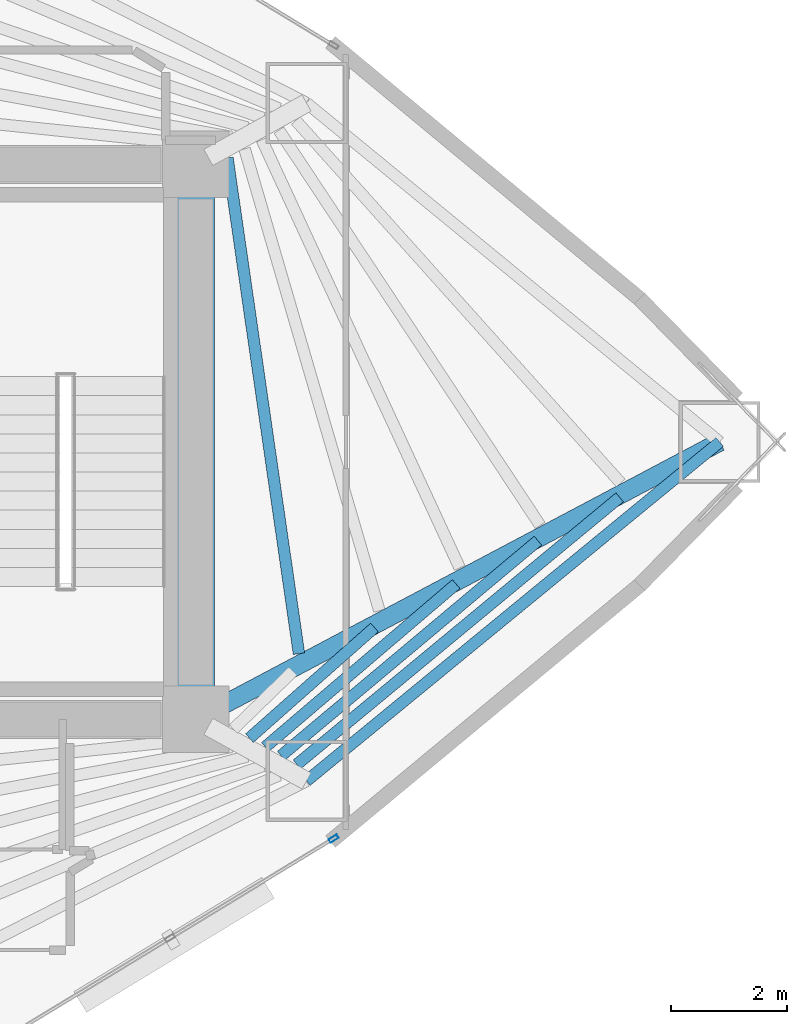
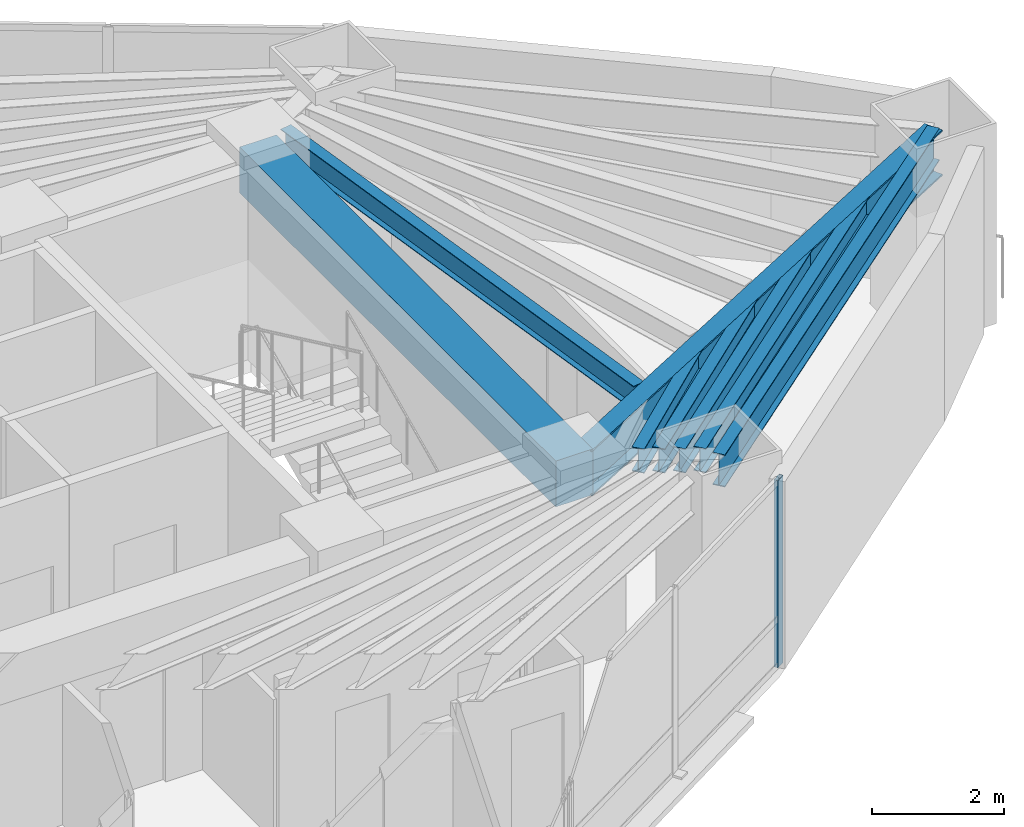
# One storey, part 6 of 17: 8 beams, 1 member, 1 element without a shape of its own.
"""IFC4 building model written with IfcOpenShell, lengths in metres."""

import ifcopenshell
import ifcopenshell.guid

model = None  # the IFC model being written
_history = None  # IfcOwnerHistory: only IFC2X3 demands one
_inside = {}  # id of a spatial element -> (the spatial element, [elements in it])
_under = {}  # id of a project, library or spatial element -> (it, [spatial elements below it])
_declared = {}  # id of a project -> (the project, [libraries it declares])
_typed = {}  # id of a type object -> (the type object, [elements of that type])
_made_of = {}  # id of a material, layer set ... -> (it, [elements and type objects made of it])


def new_model(schema):
    """Start an empty IFC model of exactly this schema.

    Asked for "IFC4X3", IfcOpenShell would pick the latest addendum, in which some entities
    have other attributes; the version numbers below select the first issue.
    IFC2X3 requires an IfcOwnerHistory on every rooted entity: one is made here for all.
    """
    global model, _history
    if schema == "IFC4X3":
        model = ifcopenshell.file(schema_version=(4, 3, 0, 0))
    else:
        model = ifcopenshell.file(schema=schema)
    _inside.clear()
    _under.clear()
    _declared.clear()
    _typed.clear()
    _made_of.clear()
    _history = None
    if model.schema == "IFC2X3":
        org = make("IfcOrganization", Name="unknown")
        user = make(
            "IfcPersonAndOrganization",
            ThePerson=make("IfcPerson", FamilyName="unknown"),
            TheOrganization=org,
        )
        app = make(
            "IfcApplication",
            ApplicationDeveloper=org,
            Version="unknown",
            ApplicationFullName="unknown",
            ApplicationIdentifier="unknown",
        )
        _history = make(
            "IfcOwnerHistory",
            OwningUser=user,
            OwningApplication=app,
            ChangeAction="ADDED",
            CreationDate=0,
        )
    return model


def make(cls, **values):
    """One entity of the class cls with the attributes given. An attribute that is None is left unset."""
    return model.create_entity(
        cls, **{name: value for name, value in values.items() if value is not None}
    )


def rooted(cls, **values):
    """An entity with a GlobalId (a new one), such as an element, a storey or a relation."""
    return make(cls, GlobalId=ifcopenshell.guid.new(), OwnerHistory=_history, **values)


def si_unit(unit_type, name, prefix=None):
    """IfcSIUnit, for example si_unit("LENGTHUNIT", "METRE", prefix="MILLI")."""
    return make("IfcSIUnit", UnitType=unit_type, Prefix=prefix, Name=name)


def assignment(units):
    """IfcUnitAssignment: the units of a project."""
    return None if units is None else make("IfcUnitAssignment", Units=units)


def point(xyz):
    """IfcCartesianPoint."""
    return None if xyz is None else make("IfcCartesianPoint", Coordinates=xyz)


def direction(xyz):
    """IfcDirection."""
    return None if xyz is None else make("IfcDirection", DirectionRatios=xyz)


def frame(location, z_axis=None, x_axis=None):
    """IfcAxis2Placement3D, a coordinate frame: its origin and axes. An axis left out is left unset."""
    return make(
        "IfcAxis2Placement3D",
        Location=point(location),
        Axis=direction(z_axis),
        RefDirection=direction(x_axis),
    )


def frame_2d(location, x_axis=None):
    """IfcAxis2Placement2D, a coordinate frame in the plane: its origin and x axis."""
    return make(
        "IfcAxis2Placement2D", Location=point(location), RefDirection=direction(x_axis)
    )


def origin():
    """The frame at (0, 0, 0) with its axes left unset."""
    return frame((0.0, 0.0, 0.0))


def origin_2d():
    """The frame at (0, 0) in the plane with its x axis left unset."""
    return frame_2d((0.0, 0.0))


def place(relative_to, where):
    """IfcLocalPlacement: puts the frame where relative to a parent placement (None: the world)."""
    return make(
        "IfcLocalPlacement", PlacementRelTo=relative_to, RelativePlacement=where
    )


def context(
    kind, dimensions, precision=None, world=None, true_north=None, identifier=None
):
    """IfcGeometricRepresentationContext, for example the 3D "Model" context."""
    return make(
        "IfcGeometricRepresentationContext",
        ContextIdentifier=identifier,
        ContextType=kind,
        CoordinateSpaceDimension=dimensions,
        Precision=precision,
        WorldCoordinateSystem=world,
        TrueNorth=true_north,
    )


def subcontext(parent, identifier, kind, view, scale=None):
    """IfcGeometricRepresentationSubContext, for example "Body" below "Model"."""
    return make(
        "IfcGeometricRepresentationSubContext",
        ContextIdentifier=identifier,
        ContextType=kind,
        ParentContext=parent,
        TargetScale=scale,
        TargetView=view,
    )


def project(units=None, contexts=None):
    """IfcProject with its units and contexts."""
    return rooted(
        "IfcProject",
        Name="project",
        RepresentationContexts=contexts,
        UnitsInContext=assignment(units),
    )


def spatial(cls, under=None, at=None, **own):
    """A site, building, storey or space (cls), placed at a placement, below another one or the project."""
    s = rooted(cls, ObjectPlacement=at, **own)
    if under is not None:
        _under.setdefault(under.id(), (under, []))[1].append(s)
    return s


def profile(cls, at=None, kind="AREA", **sizes):
    """A parametric profile (cls). Its sizes go by their IFC names, for example OverallWidth=200.0."""
    return make(cls, ProfileType=kind, Position=at, **sizes)


def rectangle(**sizes):
    """IfcRectangleProfileDef."""
    return profile("IfcRectangleProfileDef", **sizes)


def hollow_rectangle(**sizes):
    """IfcRectangleHollowProfileDef."""
    return profile("IfcRectangleHollowProfileDef", **sizes)


def i_section(**sizes):
    """IfcIShapeProfileDef."""
    return profile("IfcIShapeProfileDef", **sizes)


def extrude(swept, where, along, depth):
    """IfcExtrudedAreaSolid: the profile swept, set in the frame where, extruded along a direction by depth."""
    return make(
        "IfcExtrudedAreaSolid",
        SweptArea=swept,
        Position=where,
        ExtrudedDirection=direction(along),
        Depth=depth,
    )


def shape(context_of_items, identifier, shape_type, items):
    """IfcShapeRepresentation: the items that make up one representation, for example the "Body"."""
    return make(
        "IfcShapeRepresentation",
        ContextOfItems=context_of_items,
        RepresentationIdentifier=identifier,
        RepresentationType=shape_type,
        Items=items,
    )


def material(Name=None, Category=None):
    """IfcMaterial."""
    return make("IfcMaterial", Name=Name, Category=Category)


def layer(
    of_material, thickness, ventilated=None, Name=None, Category=None, Priority=None
):
    """IfcMaterialLayer: one layer of a wall or slab, of a material (None: an air gap)."""
    return make(
        "IfcMaterialLayer",
        Material=of_material,
        LayerThickness=thickness,
        IsVentilated=ventilated,
        Name=Name,
        Category=Category,
        Priority=Priority,
    )


def layer_set(layers, Name=None):
    """IfcMaterialLayerSet."""
    return make("IfcMaterialLayerSet", MaterialLayers=layers, LayerSetName=Name)


def material_profile(
    of_material, cross_section, Name=None, Category=None, Priority=None
):
    """IfcMaterialProfile: a cross section and its material."""
    return make(
        "IfcMaterialProfile",
        Name=Name,
        Material=of_material,
        Profile=cross_section,
        Priority=Priority,
        Category=Category,
    )


def profile_set(profiles, Name=None, composite=None):
    """IfcMaterialProfileSet."""
    return make(
        "IfcMaterialProfileSet",
        Name=Name,
        MaterialProfiles=profiles,
        CompositeProfile=composite,
    )


def made_of(thing, what):
    """Note that an element or type object is made of a material, layer set ...; save() writes the relation."""
    if what is not None:
        _made_of.setdefault(what.id(), (what, []))[1].append(thing)
    return thing


def type_object(cls, material=None, **own):
    """A type object (cls), such as IfcWallType, which elements share."""
    return made_of(rooted(cls, **own), material)


def element(
    cls,
    number,
    at=None,
    inside=None,
    cuts=None,
    type_object=None,
    material=None,
    context=None,
    identifier="Body",
    shape_type=None,
    held_by="IfcProductDefinitionShape",
    body=None,
    shapes=None,
    **own,
):
    """One element of the class cls, such as IfcWall. Its Tag is "e" and its number.

    at: its placement. inside: the storey or other place that contains it. cuts: it is an
    opening in that element (IfcRelVoidsElement). A single representation is given by context,
    identifier, shape_type and body (its items); several are given by shapes. held_by: the class
    of the entity that holds the representations. save() writes the other relations.
    """
    e = rooted(cls, Tag="e%d" % number, ObjectPlacement=at, **own)
    if body is not None:
        shapes = [shape(context, identifier, shape_type, body)]
    if shapes is not None:
        e.Representation = make(held_by, Representations=shapes)
    if inside is not None:
        _inside.setdefault(inside.id(), (inside, []))[1].append(e)
    if cuts is not None:
        rooted(
            "IfcRelVoidsElement", RelatingBuildingElement=cuts, RelatedOpeningElement=e
        )
    if type_object is not None:
        _typed.setdefault(type_object.id(), (type_object, []))[1].append(e)
    return made_of(e, material)


def aggregate(whole, parts):
    """IfcRelAggregates: a whole, such as a stair, and the parts it consists of."""
    return rooted("IfcRelAggregates", RelatingObject=whole, RelatedObjects=parts)


def save(model, path):
    """Write the relations noted so far, then the file.

    IfcRelAggregates (storeys below a building ...), IfcRelContainedInSpatialStructure (elements
    in a storey), IfcRelDefinesByType, IfcRelAssociatesMaterial and IfcRelDeclares: one each for
    every whole, place, type object, material and project.
    """
    for whole, parts in _under.values():
        aggregate(whole, parts)
    for where, things in _inside.values():
        rooted(
            "IfcRelContainedInSpatialStructure",
            RelatedElements=things,
            RelatingStructure=where,
        )
    for kind, things in _typed.values():
        rooted("IfcRelDefinesByType", RelatedObjects=things, RelatingType=kind)
    for what, things in _made_of.values():
        rooted("IfcRelAssociatesMaterial", RelatedObjects=things, RelatingMaterial=what)
    for by, libraries in _declared.values():
        rooted("IfcRelDeclares", RelatingContext=by, RelatedDefinitions=libraries)
    model.write(path)


model = new_model("IFC4")

# Units and contexts
model_context = context("Model", 3, precision=1e-05, world=origin(), true_north=direction((0.0, 1.0)))
body_context = subcontext(model_context, "Body", "Model", "MODEL_VIEW")
ifc_project = project(units=[si_unit("LENGTHUNIT", "METRE"), si_unit("AREAUNIT", "SQUARE_METRE"), si_unit("VOLUMEUNIT", "CUBIC_METRE"), si_unit("PLANEANGLEUNIT", "RADIAN"), si_unit("MASSUNIT", "GRAM", prefix="KILO")], contexts=[model_context])

# Site, building, storey
site_placement = place(None, origin())
site = spatial("IfcSite", under=ifc_project, at=site_placement, CompositionType="ELEMENT")
building_placement = place(site_placement, origin())
building = spatial("IfcBuilding", under=site, at=building_placement, Name="Menara Vayukalpa", CompositionType="ELEMENT")
storey_placement = place(building_placement, frame((0.0, 0.0, 46.199951171875)))
storey = spatial("IfcBuildingStorey", under=building, at=storey_placement, Name="L10", CompositionType="ELEMENT", Elevation=46.199951171875)

# Beams
ifc_material_1 = material(Name="Concrete C60/75", Category="concrete")
ifc_material_profile_1 = material_profile(ifc_material_1, rectangle(XDim=0.64990234375, YDim=0.85009765625, at=origin_2d()), Name="RC 650x850")
ifc_profile_set_1 = profile_set([ifc_material_profile_1], Name="Concrete C60/75")
beam_type_1 = type_object("IfcBeamType", Name="BM-CB1", PredefinedType="BEAM", material=ifc_profile_set_1)
beam_1_placement = place(storey_placement, frame((33.39990234375, 17.199951171875, 3.045166015625), z_axis=(0.0, 1.0, 0.0), x_axis=(-1.0, 0.0, 0.0)))
element("IfcBeam", 1, at=beam_1_placement, inside=storey, type_object=beam_type_1, Name="L10 Core Tie Beam CBR8", PredefinedType="BEAM", context=body_context, shape_type="SweptSolid", body=[
    extrude(rectangle(XDim=0.64990234375, YDim=0.85009765625, at=origin_2d()), origin(), (0.0, 0.0, 1.0), 9.60009765625),
])
ifc_material_2 = material(Name="Steel S355", Category="steel")
ifc_material_profile_2 = material_profile(ifc_material_2, i_section(OverallWidth=0.320068359375, OverallDepth=0.85009765625, WebThickness=0.01611328125, FlangeThickness=0.030029296875, at=origin_2d()), Name="WF 850x320x16x30")
ifc_profile_set_2 = profile_set([ifc_material_profile_2], Name="Steel S355")
beam_type_2 = type_object("IfcBeamType", Name="BM-PG2", PredefinedType="BEAM", material=ifc_profile_set_2)
beam_2_placement = place(storey_placement, frame((33.620849609375, 17.31689453125, 3.045166015625), z_axis=(0.883746967157, 0.467965060704, 0.0), x_axis=(-0.467965060704, 0.883746967157, 0.0)))
element("IfcBeam", 2, at=beam_2_placement, inside=storey, type_object=beam_type_2, Name="L10 Primary Radial Girder RG01", PredefinedType="BEAM", context=body_context, shape_type="SweptSolid", body=[
    extrude(i_section(OverallWidth=0.320068359375, OverallDepth=0.85009765625, WebThickness=0.01611328125, FlangeThickness=0.030029296875, at=origin_2d()), origin(), (0.0, 0.0, 1.0), 10.00732421875),
])
ifc_material_3 = material(Name="Steel S355", Category="steel")
ifc_material_profile_3 = material_profile(ifc_material_3, i_section(OverallWidth=0.199951171875, OverallDepth=0.449951171875, WebThickness=0.009033203125, FlangeThickness=0.013916015625, at=origin_2d()), Name="WF 450x200x9x14")
ifc_profile_set_3 = profile_set([ifc_material_profile_3], Name="Steel S355")
beam_type_3 = type_object("IfcBeamType", Name="BM-SJ1", PredefinedType="JOIST", material=ifc_profile_set_3)
beam_3_placement = place(storey_placement, frame((35.18701171875, 18.338134765625, 3.2451171875), z_axis=(-0.142766602183, 0.989756382804, 0.0), x_axis=(-0.989756382804, -0.142766602183, 0.0)))
element("IfcBeam", 3, at=beam_3_placement, inside=storey, type_object=beam_type_3, Name="L10 Secondary Floor Joist SJ01-1", PredefinedType="JOIST", context=body_context, shape_type="SweptSolid", body=[
    extrude(i_section(OverallWidth=0.199951171875, OverallDepth=0.449951171875, WebThickness=0.009033203125, FlangeThickness=0.013916015625, at=origin_2d()), origin(), (0.0, 0.0, 1.0), 8.6630859375),
])
beam_4_placement = place(storey_placement, frame((34.331298828125, 16.877685546875, 3.2451171875), z_axis=(0.748970728252, 0.662603084978, 0.0), x_axis=(-0.662603084978, 0.748970728252, 0.0)))
element("IfcBeam", 4, at=beam_4_placement, inside=storey, type_object=beam_type_3, Name="L10 Secondary Floor Joist SJ09-2", PredefinedType="JOIST", context=body_context, shape_type="SweptSolid", body=[
    extrude(i_section(OverallWidth=0.199951171875, OverallDepth=0.449951171875, WebThickness=0.009033203125, FlangeThickness=0.013916015625, at=origin_2d()), origin(), (0.0, 0.0, 1.0), 2.88623046875),
])
beam_5_placement = place(storey_placement, frame((34.605224609375, 16.724609375, 3.2451171875), z_axis=(0.760660716004, 0.649149655418, 0.0), x_axis=(-0.649149655418, 0.760660716004, 0.0)))
element("IfcBeam", 5, at=beam_5_placement, inside=storey, type_object=beam_type_3, Name="L10 Secondary Floor Joist SJ09-3", PredefinedType="JOIST", context=body_context, shape_type="SweptSolid", body=[
    extrude(i_section(OverallWidth=0.199951171875, OverallDepth=0.449951171875, WebThickness=0.009033203125, FlangeThickness=0.013916015625, at=origin_2d()), origin(), (0.0, 0.0, 1.0), 4.33935546875),
])
beam_6_placement = place(storey_placement, frame((34.878173828125, 16.572509765625, 3.2451171875), z_axis=(0.766661190174, 0.642051882235, 0.0), x_axis=(-0.642051882235, 0.766661190174, 0.0)))
element("IfcBeam", 6, at=beam_6_placement, inside=storey, type_object=beam_type_3, Name="L10 Secondary Floor Joist SJ09-4", PredefinedType="JOIST", context=body_context, shape_type="SweptSolid", body=[
    extrude(i_section(OverallWidth=0.199951171875, OverallDepth=0.449951171875, WebThickness=0.009033203125, FlangeThickness=0.013916015625, at=origin_2d()), origin(), (0.0, 0.0, 1.0), 5.79345703125),
])
beam_7_placement = place(storey_placement, frame((35.15087890625, 16.421142578125, 3.2451171875), z_axis=(0.770362369683, 0.637606320056, 0.0), x_axis=(-0.637606320056, 0.770362369683, 0.0)))
element("IfcBeam", 7, at=beam_7_placement, inside=storey, type_object=beam_type_3, Name="L10 Secondary Floor Joist SJ09-5", PredefinedType="JOIST", context=body_context, shape_type="SweptSolid", body=[
    extrude(i_section(OverallWidth=0.199951171875, OverallDepth=0.449951171875, WebThickness=0.009033203125, FlangeThickness=0.013916015625, at=origin_2d()), origin(), (0.0, 0.0, 1.0), 7.24755859375),
])
ifc_material_4 = material(Name="Steel S355", Category="steel")
ifc_material_profile_4 = material_profile(ifc_material_4, i_section(OverallWidth=0.199951171875, OverallDepth=0.60009765625, WebThickness=0.010986328125, FlangeThickness=0.01708984375, at=origin_2d()), Name="WF 600x200x11x17")
ifc_profile_set_4 = profile_set([ifc_material_profile_4], Name="Steel S355")
beam_type_4 = type_object("IfcBeamType", Name="BM-SP1", PredefinedType="SPANDREL", material=ifc_profile_set_4)
beam_8_placement = place(storey_placement, frame((35.318115234375, 16.13671875, 3.170166015625), z_axis=(0.773110561587, 0.63427128231, 0.0), x_axis=(-0.63427128231, 0.773110561587, 0.0)))
element("IfcBeam", 8, at=beam_8_placement, inside=storey, type_object=beam_type_4, Name="L10 Perimeter Spandrel Beam SP09", PredefinedType="SPANDREL", context=body_context, shape_type="SweptSolid", body=[
    extrude(i_section(OverallWidth=0.199951171875, OverallDepth=0.60009765625, WebThickness=0.010986328125, FlangeThickness=0.01708984375, at=origin_2d()), origin(), (0.0, 0.0, 1.0), 9.244140625),
])

# Curtain wall, member
ifc_material_5 = material(Name="Anodised Terracotta Aluminium Alloy 6063-T6", Category="masonry")
ifc_layer = layer(ifc_material_5, 0.1650390625)
ifc_layer_set = layer_set([ifc_layer], Name="Anodised Terracotta Aluminium Alloy 6063-T6")
curtain_wall_type = type_object("IfcCurtainWallType", Name="CW-CW2", PredefinedType="USERDEFINED", material=ifc_layer_set)
curtain_wall_placement = place(storey_placement, origin())
curtain_wall = element("IfcCurtainWall", 9, at=curtain_wall_placement, inside=storey, type_object=curtain_wall_type, Name="L10 Low Rise Terracotta Ribbon Curtain Wall CW2 17", ObjectType="UNITISED", PredefinedType="USERDEFINED")
ifc_material_6 = material(Name="Anodised Terracotta Aluminium Alloy 6063-T6", Category="masonry")
ifc_material_profile_5 = material_profile(ifc_material_6, hollow_rectangle(XDim=0.070068359375, YDim=0.1650390625, WallThickness=0.00390625, at=origin_2d()), Name="ALU 70x165x4")
ifc_profile_set_5 = profile_set([ifc_material_profile_5], Name="Anodised Terracotta Aluminium Alloy 6063-T6")
member_type = type_object("IfcMemberType", Name="CWM-CW2", PredefinedType="MULLION", material=ifc_profile_set_5)
member_placement = place(storey_placement, frame((35.787353515625, 15.138427734375, 0.0), z_axis=(0.0, 0.0, 1.0), x_axis=(-0.519181964377, 0.854663727945, 0.0)))
member = element("IfcMember", 10, at=member_placement, type_object=member_type, Name="CW2 mullion 3", PredefinedType="MULLION", context=body_context, shape_type="SweptSolid", body=[
    extrude(hollow_rectangle(XDim=0.070068359375, YDim=0.1650390625, WallThickness=0.00390625, at=origin_2d()), origin(), (0.0, 0.0, 1.0), 3.469970703125),
])
aggregate(curtain_wall, [member])

save(model, "model.ifc")
